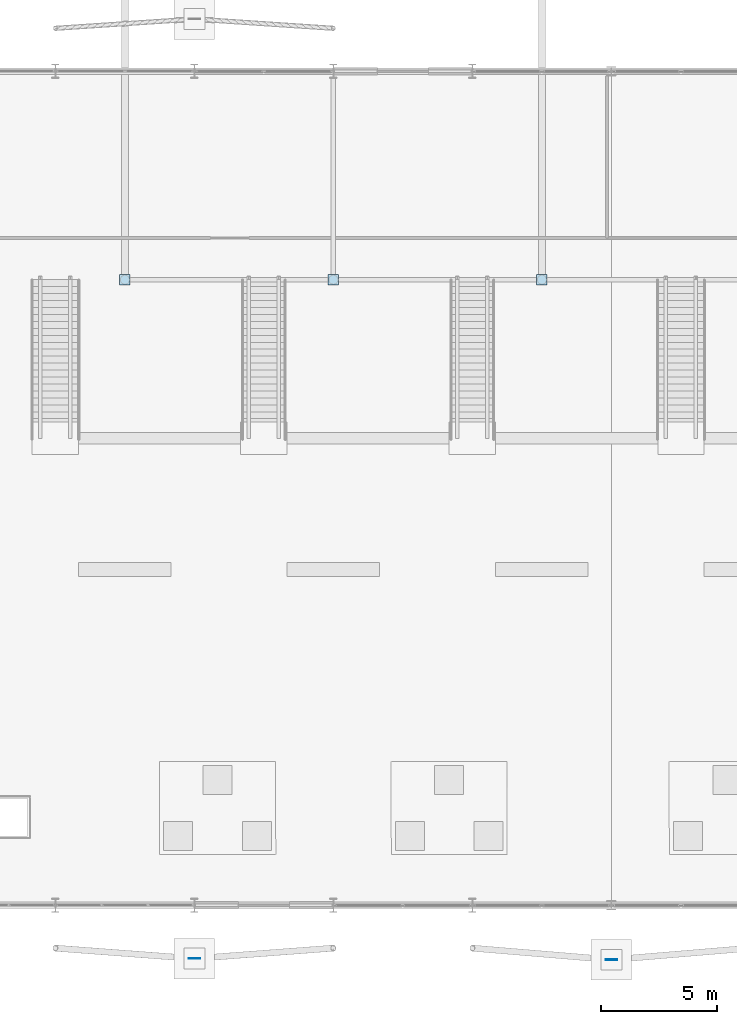
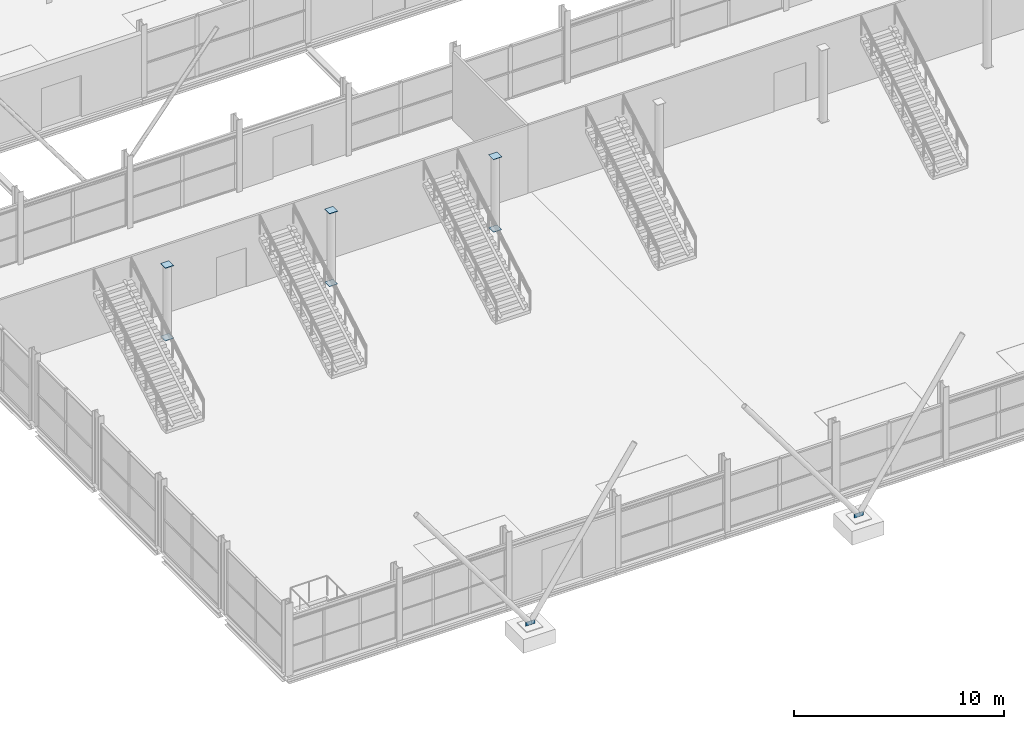
# One storey, part 108 of 140: 8 plates.
"""IFC4 building model written with IfcOpenShell, lengths in metres."""

from ifc_helpers import new_model, si_unit, direction, frame, origin, origin_2d, place, context, subcontext, project, spatial, rectangle, extrude, material, layer, layer_set, type_object, element, save


model = new_model("IFC4")

# Units and contexts
model_context = context("Model", 3, precision=1e-05, world=origin(), true_north=direction((0.0, 1.0)))
body_context = subcontext(model_context, "Body", "Model", "MODEL_VIEW")
ifc_project = project(units=[si_unit("LENGTHUNIT", "METRE"), si_unit("AREAUNIT", "SQUARE_METRE"), si_unit("VOLUMEUNIT", "CUBIC_METRE"), si_unit("PLANEANGLEUNIT", "RADIAN"), si_unit("MASSUNIT", "GRAM", prefix="KILO")], contexts=[model_context])

# Site, building, storey
site_placement = place(None, origin())
site = spatial("IfcSite", under=ifc_project, at=site_placement, CompositionType="ELEMENT")
building_placement = place(site_placement, origin())
building = spatial("IfcBuilding", under=site, at=building_placement, Name="Deido Ridge Mobility Hub", CompositionType="ELEMENT")
storey_placement = place(building_placement, origin())
storey = spatial("IfcBuildingStorey", under=building, at=storey_placement, Name="L00", CompositionType="ELEMENT", Elevation=0.0)

# Plates
ifc_material = material(Name="Steel S355J2 EN 10025-2", Category="steel")
ifc_layer_1 = layer(ifc_material, 0.02197265625, Name="Steel S355J2 EN 10025-2")
ifc_layer_set_1 = layer_set([ifc_layer_1], Name="Steel S355J2 EN 10025-2")
plate_type_1 = type_object("IfcPlateType", Name="PLT-CAP-22", PredefinedType="USERDEFINED", material=ifc_layer_set_1)
for number, where, z_axis, x_axis, name in (
    (1, (9.0, 27.0, -0.02197265625), (0.0, 0.0, 1.0), (1.0, 0.0, 0.0), "Hollow column C10 base cap plate EC2"),
    (2, (9.0, 27.0, 4.199951171875), (0.0, 0.0, 1.0), (1.0, 0.0, 0.0), "Hollow column C10 head cap plate EC2"),
    (3, (18.0, 27.0, -0.02197265625), (0.0, 0.0, 1.0), (1.0, 0.0, 0.0), "Hollow column C10 base cap plate EC2"),
    (4, (18.0, 27.0, 4.199951171875), (0.0, 0.0, 1.0), (1.0, 0.0, 0.0), "Hollow column C10 head cap plate EC2"),
    (5, (27.0, 27.0, -0.02197265625), (0.0, 0.0, 1.0), (1.0, 0.0, 0.0), "Hollow column C10 base cap plate EC2"),
    (6, (27.0, 27.0, 4.199951171875), (0.0, 0.0, 1.0), (1.0, 0.0, 0.0), "Hollow column C10 head cap plate EC2"),
):
    element("IfcPlate", number, at=place(storey_placement, frame(where, z_axis=z_axis, x_axis=x_axis)), inside=storey, type_object=plate_type_1, Name=name, ObjectType="END CAP PLATE", PredefinedType="USERDEFINED", context=body_context, shape_type="SweptSolid", body=[
        extrude(rectangle(XDim=0.4599609375, YDim=0.4599609375, at=origin_2d()), origin(), (0.0, 0.0, 1.0), 0.02197265625),
    ])
ifc_layer_2 = layer(ifc_material, 0.031982421875, Name="Steel S355J2 EN 10025-2")
ifc_layer_set_2 = layer_set([ifc_layer_2], Name="Steel S355J2 EN 10025-2")
plate_type_2 = type_object("IfcPlateType", Name="PLT-GUS-32", PredefinedType="USERDEFINED", material=ifc_layer_set_2)
for number, where, z_axis, x_axis, name in (
    (7, (12.0, -2.300048828125, 0.03515625), (0.0, 0.0, 1.0), (1.0, 0.0, 0.0), "Exoskeleton V-strut pedestal gusset GP4 100"),
    (8, (30.0, -2.35009765625, 0.03515625), (0.0, 0.0, 1.0), (1.0, 0.0, 0.0), "Exoskeleton V-strut pedestal gusset GP4 104"),
):
    element("IfcPlate", number, at=place(storey_placement, frame(where, z_axis=z_axis, x_axis=x_axis)), inside=storey, type_object=plate_type_2, Name=name, ObjectType="GUSSET PLATE", PredefinedType="USERDEFINED", context=body_context, shape_type="SweptSolid", body=[
        extrude(rectangle(XDim=0.5, YDim=0.031982421875, at=origin_2d()), origin(), (0.0, 0.0, 1.0), 0.219970703125),
    ])

save(model, "model.ifc")
